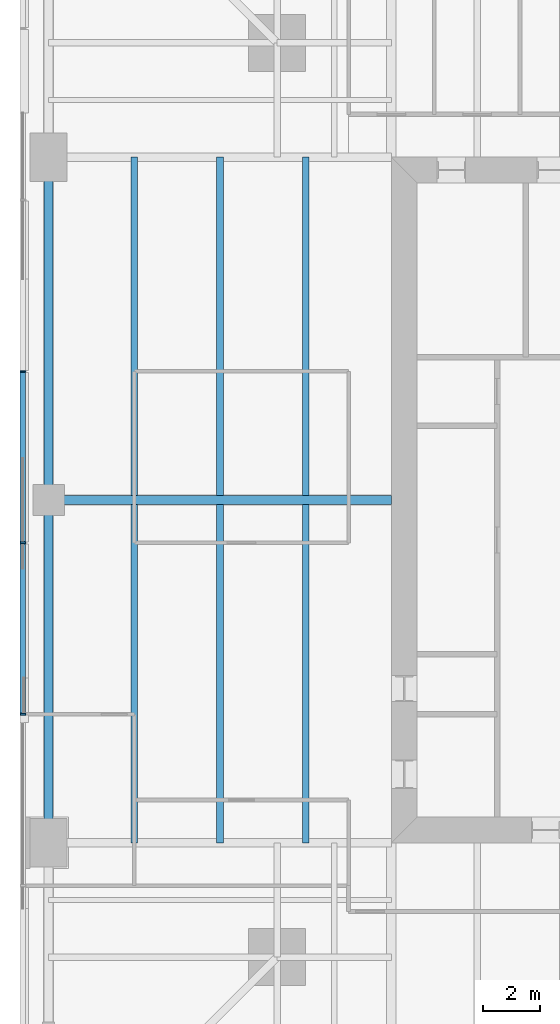
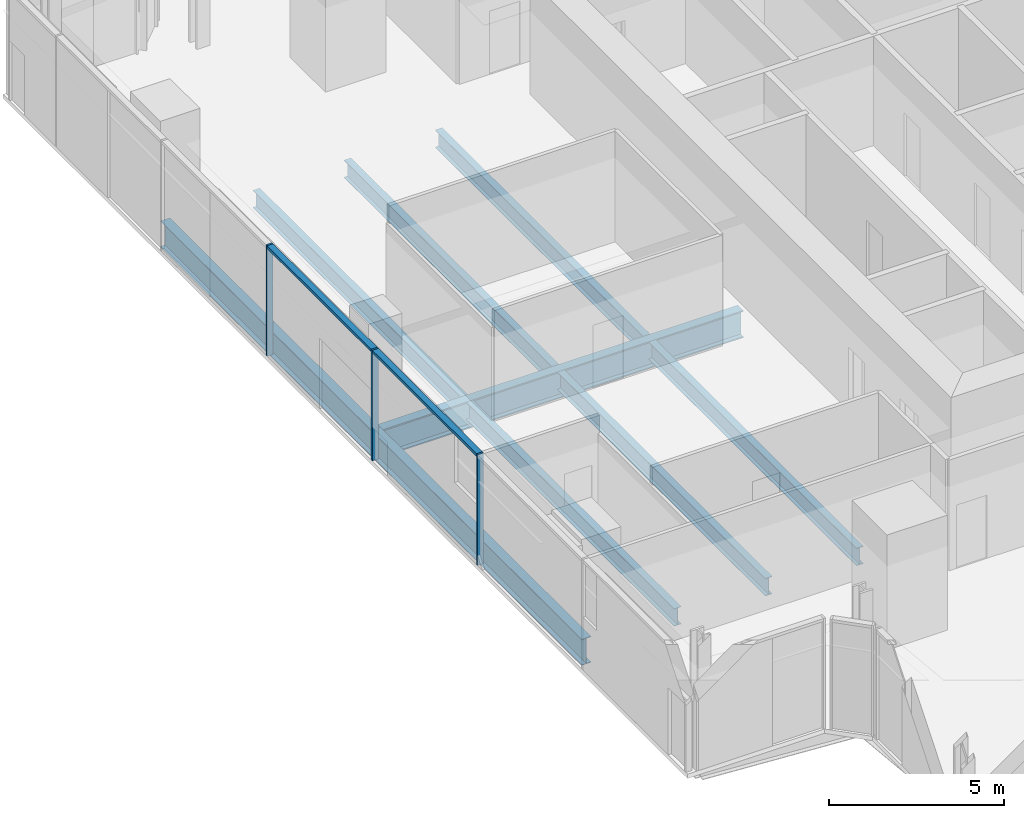
# One storey, part 4 of 15: 9 beams, 5 members, 1 element without a shape of its own.
"""IFC4 building model written with IfcOpenShell, lengths in metres."""

from ifc_helpers import new_model, si_unit, direction, frame, origin, origin_2d, place, context, subcontext, project, spatial, rectangle, i_section, extrude, material, material_profile, profile_set, type_object, element, aggregate, save


model = new_model("IFC4")

# Units and contexts
model_context = context("Model", 3, precision=1e-05, world=origin(), true_north=direction((0.0, 1.0)))
body_context = subcontext(model_context, "Body", "Model", "MODEL_VIEW")
ifc_project = project(units=[si_unit("LENGTHUNIT", "METRE"), si_unit("AREAUNIT", "SQUARE_METRE"), si_unit("VOLUMEUNIT", "CUBIC_METRE"), si_unit("PLANEANGLEUNIT", "RADIAN"), si_unit("MASSUNIT", "GRAM", prefix="KILO")], contexts=[model_context])

# Site, building, storey
site_placement = place(None, origin())
site = spatial("IfcSite", under=ifc_project, at=site_placement, CompositionType="ELEMENT")
building_placement = place(site_placement, origin())
building = spatial("IfcBuilding", under=site, at=building_placement, Name="Fenwick Lantern Interchange", CompositionType="ELEMENT")
storey_placement = place(building_placement, frame((0.0, 0.0, 209.800048828125)))
storey = spatial("IfcBuildingStorey", under=building, at=storey_placement, Name="L49", CompositionType="ELEMENT", Elevation=209.800048828125)

# Beams
ifc_material_1 = material(Name="Steel ASTM A992 Grade 50", Category="steel")
ifc_material_profile_1 = material_profile(ifc_material_1, i_section(OverallWidth=0.3046875, OverallDepth=0.911865234375, WebThickness=0.015869140625, FlangeThickness=0.02392578125, at=origin_2d()), Name="W36X150")
ifc_profile_set_1 = profile_set([ifc_material_profile_1], Name="Steel ASTM A992 Grade 50")
beam_type_1 = type_object("IfcBeamType", Name="EDGE BEAM W36X150", PredefinedType="SPANDREL", material=ifc_profile_set_1)
for number, where, z_axis, x_axis, name in (
    (1, (1.0, 37.0, -0.60595703125), (0.0, -1.0, 0.0), (1.0, 0.0, 0.0), "L49/FR/W/EB2"),
    (2, (1.0, 25.0, -0.60595703125), (0.0, -1.0, 0.0), (1.0, 0.0, 0.0), "L49/FR/W/EB3"),
):
    element("IfcBeam", number, at=place(storey_placement, frame(where, z_axis=z_axis, x_axis=x_axis)), inside=storey, type_object=beam_type_1, Name=name, PredefinedType="SPANDREL", context=body_context, shape_type="SweptSolid", body=[
        extrude(i_section(OverallWidth=0.3046875, OverallDepth=0.911865234375, WebThickness=0.015869140625, FlangeThickness=0.02392578125, at=origin_2d()), origin(), (0.0, 0.0, 1.0), 12.0),
    ])
ifc_material_profile_2 = material_profile(ifc_material_1, i_section(OverallWidth=0.22900390625, OverallDepth=0.612060546875, WebThickness=0.011962890625, FlangeThickness=0.01953125, at=origin_2d()), Name="W24X84")
ifc_profile_set_2 = profile_set([ifc_material_profile_2], Name="Steel ASTM A992 Grade 50")
beam_type_2 = type_object("IfcBeamType", Name="FLOOR BEAM W24X84", PredefinedType="BEAM", material=ifc_profile_set_2)
for number, where, z_axis, x_axis, name in (
    (3, (4.0, 37.0, -0.4560546875), (0.0, -1.0, 0.0), (1.0, 0.0, 0.0), "L49/FR/W/B01"),
    (4, (7.0, 37.0, -0.4560546875), (0.0, -1.0, 0.0), (1.0, 0.0, 0.0), "L49/FR/W/B02"),
    (5, (10.0, 37.0, -0.4560546875), (0.0, -1.0, 0.0), (1.0, 0.0, 0.0), "L49/FR/W/B03"),
    (6, (4.0, 24.844970703125, -0.4560546875), (0.0, -1.0, 0.0), (1.0, 0.0, 0.0), "L49/FR/W/B04"),
    (7, (7.0, 24.844970703125, -0.4560546875), (0.0, -1.0, 0.0), (1.0, 0.0, 0.0), "L49/FR/W/B05"),
    (8, (10.0, 24.844970703125, -0.4560546875), (0.0, -1.0, 0.0), (1.0, 0.0, 0.0), "L49/FR/W/B06"),
):
    element("IfcBeam", number, at=place(storey_placement, frame(where, z_axis=z_axis, x_axis=x_axis)), inside=storey, type_object=beam_type_2, Name=name, PredefinedType="BEAM", context=body_context, shape_type="SweptSolid", body=[
        extrude(i_section(OverallWidth=0.22900390625, OverallDepth=0.612060546875, WebThickness=0.011962890625, FlangeThickness=0.01953125, at=origin_2d()), origin(), (0.0, 0.0, 1.0), 11.844970703125),
    ])
ifc_material_profile_3 = material_profile(ifc_material_1, i_section(OverallWidth=0.309814453125, OverallDepth=0.949951171875, WebThickness=0.0244140625, FlangeThickness=0.0439453125, at=origin_2d()), Name="W36X256")
ifc_profile_set_3 = profile_set([ifc_material_profile_3], Name="Steel ASTM A992 Grade 50")
beam_type_3 = type_object("IfcBeamType", Name="MOMENT-CONNECTED GIRDER W36X256", PredefinedType="BEAM", material=ifc_profile_set_3)
beam_placement = place(storey_placement, frame((1.0, 25.0, -0.625), z_axis=(1.0, 0.0, 0.0), x_axis=(0.0, 1.0, 0.0)))
element("IfcBeam", 9, at=beam_placement, inside=storey, type_object=beam_type_3, Name="L49/FR/W/R02", PredefinedType="BEAM", context=body_context, shape_type="SweptSolid", body=[
    extrude(i_section(OverallWidth=0.309814453125, OverallDepth=0.949951171875, WebThickness=0.0244140625, FlangeThickness=0.0439453125, at=origin_2d()), origin(), (0.0, 0.0, 1.0), 12.0),
])

# Curtain wall, members
ifc_material_2 = material(Name="Aluminium curtain wall frame", Category="aluminium")
curtain_wall_type = type_object("IfcCurtainWallType", Name="OFFICE CURTAIN WALL", PredefinedType="USERDEFINED", material=ifc_material_2)
curtain_wall_placement = place(storey_placement, origin())
curtain_wall = element("IfcCurtainWall", 10, at=curtain_wall_placement, inside=storey, type_object=curtain_wall_type, Name="Office curtain wall 13", ObjectType="OFFICE CURTAIN WALL", PredefinedType="USERDEFINED")
ifc_material_3 = material(Name="Aluminium extrusion", Category="aluminium")
ifc_material_profile_4 = material_profile(ifc_material_3, rectangle(XDim=0.199951171875, YDim=0.06494140625, at=origin_2d()), Name="OFFICE CURTAIN WALL MULLION 65 X 200")
ifc_profile_set_4 = profile_set([ifc_material_profile_4], Name="Aluminium extrusion")
member_type_1 = type_object("IfcMemberType", Name="OFFICE CURTAIN WALL MULLION 65 X 200", PredefinedType="MULLION", material=ifc_profile_set_4)
member_1_placement = place(storey_placement, frame((0.10009765625, 29.5, 0.0), z_axis=(0.0, 0.0, 1.0), x_axis=(1.0, 0.0, 0.0)))
member_1 = element("IfcMember", 11, at=member_1_placement, type_object=member_type_1, Name="L49/CW/13/M03", PredefinedType="MULLION", context=body_context, shape_type="SweptSolid", body=[
    extrude(rectangle(XDim=0.199951171875, YDim=0.06494140625, at=origin_2d()), origin(), (0.0, 0.0, 1.0), 3.849853515625),
])
member_2_placement = place(storey_placement, frame((0.10009765625, 23.5, 0.0), z_axis=(0.0, 0.0, 1.0), x_axis=(1.0, 0.0, 0.0)))
member_2 = element("IfcMember", 12, at=member_2_placement, type_object=member_type_1, Name="L49/CW/13/M04", PredefinedType="MULLION", context=body_context, shape_type="SweptSolid", body=[
    extrude(rectangle(XDim=0.199951171875, YDim=0.06494140625, at=origin_2d()), origin(), (0.0, 0.0, 1.0), 3.849853515625),
])
member_3_placement = place(storey_placement, frame((0.10009765625, 17.5, 0.0), z_axis=(0.0, 0.0, 1.0), x_axis=(1.0, 0.0, 0.0)))
member_3 = element("IfcMember", 13, at=member_3_placement, type_object=member_type_1, Name="L49/CW/13/M05", PredefinedType="MULLION", context=body_context, shape_type="SweptSolid", body=[
    extrude(rectangle(XDim=0.199951171875, YDim=0.06494140625, at=origin_2d()), origin(), (0.0, 0.0, 1.0), 3.849853515625),
])
ifc_material_profile_5 = material_profile(ifc_material_3, rectangle(XDim=0.199951171875, YDim=0.10009765625, at=origin_2d()), Name="OFFICE CURTAIN WALL TRANSOM 100 X 200")
ifc_profile_set_5 = profile_set([ifc_material_profile_5], Name="Aluminium extrusion")
member_type_2 = type_object("IfcMemberType", Name="OFFICE CURTAIN WALL TRANSOM 100 X 200", PredefinedType="MULLION", material=ifc_profile_set_5)
member_4_placement = place(storey_placement, frame((0.10009765625, 29.467529296875, 3.800048828125), z_axis=(0.0, -1.0, 0.0), x_axis=(1.0, 0.0, 0.0)))
member_4 = element("IfcMember", 14, at=member_4_placement, type_object=member_type_2, Name="L49/CW/13/T03", PredefinedType="MULLION", context=body_context, shape_type="SweptSolid", body=[
    extrude(rectangle(XDim=0.199951171875, YDim=0.10009765625, at=origin_2d()), origin(), (0.0, 0.0, 1.0), 5.93505859375),
])
member_5_placement = place(storey_placement, frame((0.10009765625, 23.467529296875, 3.800048828125), z_axis=(0.0, -1.0, 0.0), x_axis=(1.0, 0.0, 0.0)))
member_5 = element("IfcMember", 15, at=member_5_placement, type_object=member_type_2, Name="L49/CW/13/T04", PredefinedType="MULLION", context=body_context, shape_type="SweptSolid", body=[
    extrude(rectangle(XDim=0.199951171875, YDim=0.10009765625, at=origin_2d()), origin(), (0.0, 0.0, 1.0), 5.93505859375),
])
aggregate(curtain_wall, [member_1, member_2, member_3, member_4, member_5])

save(model, "model.ifc")
